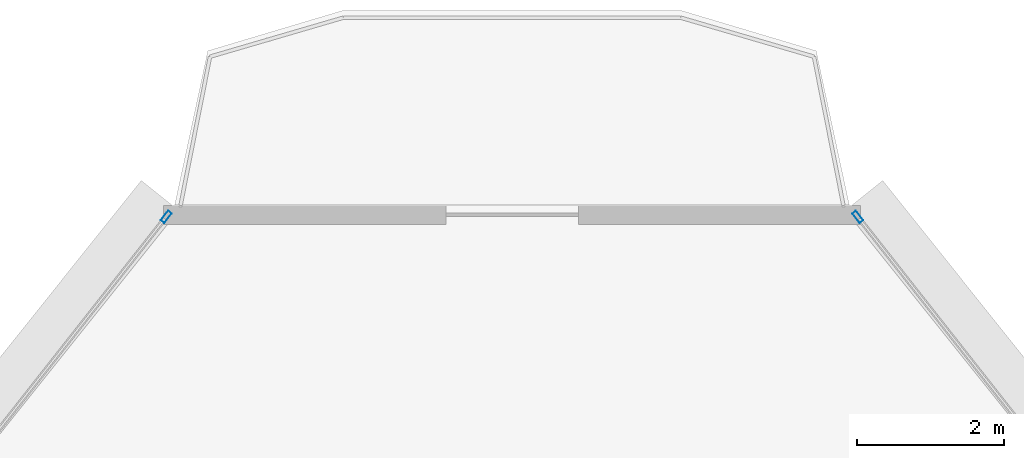
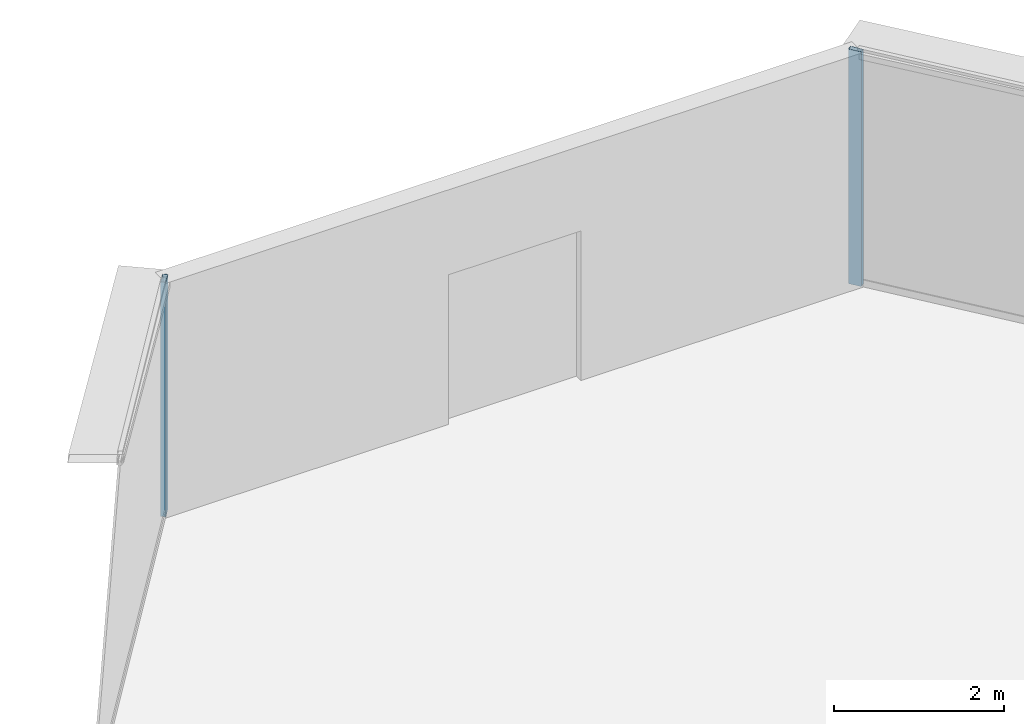
# One storey, part 26 of 37: 2 members, 2 elements without a shape of their own.
"""IFC4 building model written with IfcOpenShell, lengths in metres."""

from ifc_helpers import new_model, si_unit, direction, frame, origin, origin_2d, place, context, subcontext, project, spatial, hollow_rectangle, extrude, source, transform, mapped, material, layer, layer_set, material_profile, profile_set, type_object, element, aggregate, save


model = new_model("IFC4")

# Units and contexts
model_context = context("Model", 3, precision=1e-05, world=origin(), true_north=direction((0.0, 1.0)))
body_context = subcontext(model_context, "Body", "Model", "MODEL_VIEW")
ifc_project = project(units=[si_unit("LENGTHUNIT", "METRE"), si_unit("AREAUNIT", "SQUARE_METRE"), si_unit("VOLUMEUNIT", "CUBIC_METRE"), si_unit("PLANEANGLEUNIT", "RADIAN"), si_unit("MASSUNIT", "GRAM", prefix="KILO"), si_unit("THERMODYNAMICTEMPERATUREUNIT", "KELVIN"), si_unit("POWERUNIT", "WATT")], contexts=[model_context])

# Site, building, storey
site_placement = place(None, origin())
site = spatial("IfcSite", under=ifc_project, at=site_placement, CompositionType="ELEMENT")
building_placement = place(site_placement, origin())
building = spatial("IfcBuilding", under=site, at=building_placement, Name="Yunzhuo Pagoda Commons", CompositionType="ELEMENT")
storey_placement = place(building_placement, frame((0.0, 0.0, 59.43994140625)))
storey = spatial("IfcBuildingStorey", under=building, at=storey_placement, Name="L15", CompositionType="ELEMENT", Elevation=59.43994140625)

# Curtain wall, member
ifc_material = material(Name="Anodized aluminium 6063-T6", Category="aluminium")
ifc_layer = layer(ifc_material, 0.1650390625)
ifc_layer_set = layer_set([ifc_layer], Name="Anodized aluminium 6063-T6")
curtain_wall_type = type_object("IfcCurtainWallType", Name="CW-LOW Low-Zone Ribbon Curtain Wall", PredefinedType="NOTDEFINED", material=ifc_layer_set)
curtain_wall_1_placement = place(storey_placement, origin())
curtain_wall_1 = element("IfcCurtainWall", 1, at=curtain_wall_1_placement, inside=storey, type_object=curtain_wall_type, Name="L15 curtain wall CW-L15-F2B5", PredefinedType="NOTDEFINED")
ifc_material_profile = material_profile(ifc_material, hollow_rectangle(XDim=0.06494140625, YDim=0.1650390625, WallThickness=0.00390625, at=origin_2d()), Name="Anodized aluminium 6063-T6")
ifc_profile_set = profile_set([ifc_material_profile], Name="Anodized aluminium 6063-T6")
member_type = type_object("IfcMemberType", Name="CW-LOW-M Mullion RHS 165x65x4", PredefinedType="MULLION", material=ifc_profile_set)
shared_shape = source(origin(), body_context, "Body", "SweptSolid", [
    extrude(hollow_rectangle(XDim=0.06494140625, YDim=0.1650390625, WallThickness=0.00390625, at=origin_2d()), origin(), (0.0, 0.0, 1.0), 3.3701171875),
])
member_1_placement = place(storey_placement, frame((52.6982421875, 88.124755859375, 0.0), z_axis=(0.0, 0.0, 1.0), x_axis=(-0.785963833081, -0.618272474794, 0.0)))
member_1 = element("IfcMember", 2, at=member_1_placement, type_object=member_type, Name="CW mullion 2", PredefinedType="MULLION", context=body_context, shape_type="MappedRepresentation", body=[
    mapped(shared_shape, transform((0.0, 0.0, 0.0), scale=1.0)),
])
aggregate(curtain_wall_1, [member_1])

curtain_wall_2_placement = place(storey_placement, origin())
curtain_wall_2 = element("IfcCurtainWall", 3, at=curtain_wall_2_placement, inside=storey, type_object=curtain_wall_type, Name="L15 curtain wall CW-L15-F3B1", PredefinedType="NOTDEFINED")
member_2_placement = place(storey_placement, frame((43.3017578125, 88.124755859375, 0.0), z_axis=(0.0, 0.0, 1.0), x_axis=(0.785963833081, -0.618272474794, 0.0)))
member_2 = element("IfcMember", 4, at=member_2_placement, type_object=member_type, Name="CW mullion 1", PredefinedType="MULLION", context=body_context, shape_type="MappedRepresentation", body=[
    mapped(shared_shape, transform((0.0, 0.0, 0.0), scale=1.0)),
])
aggregate(curtain_wall_2, [member_2])

save(model, "model.ifc")
